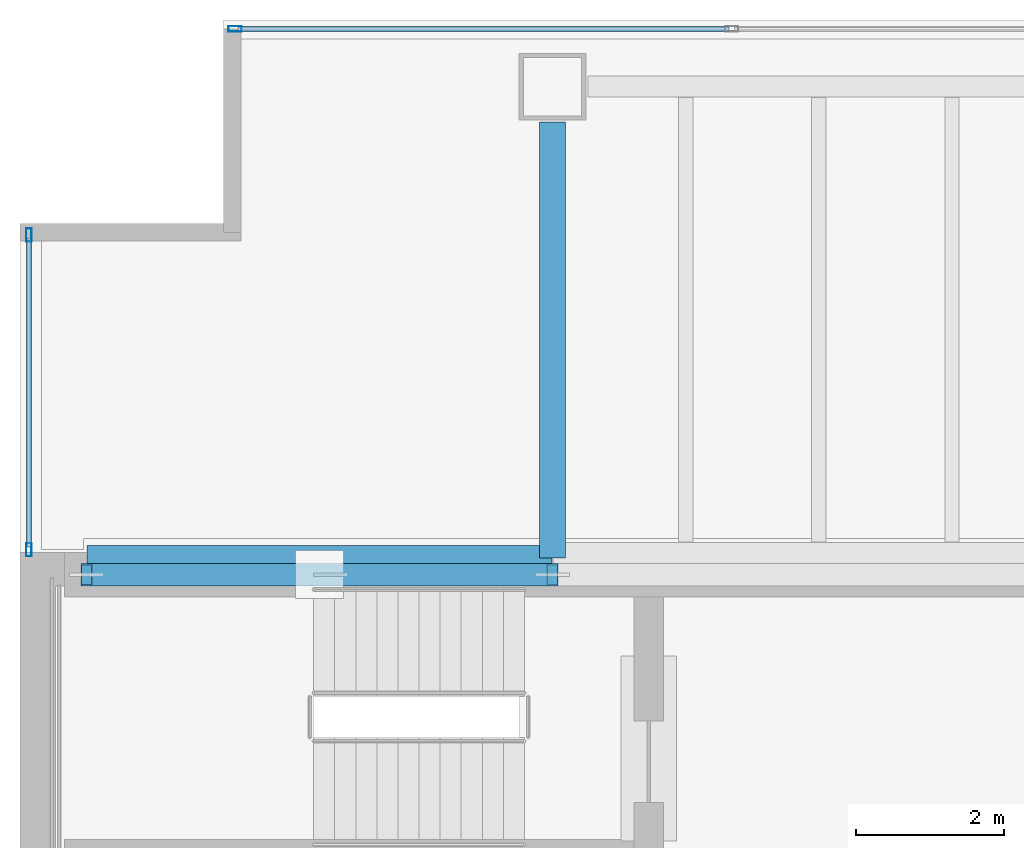
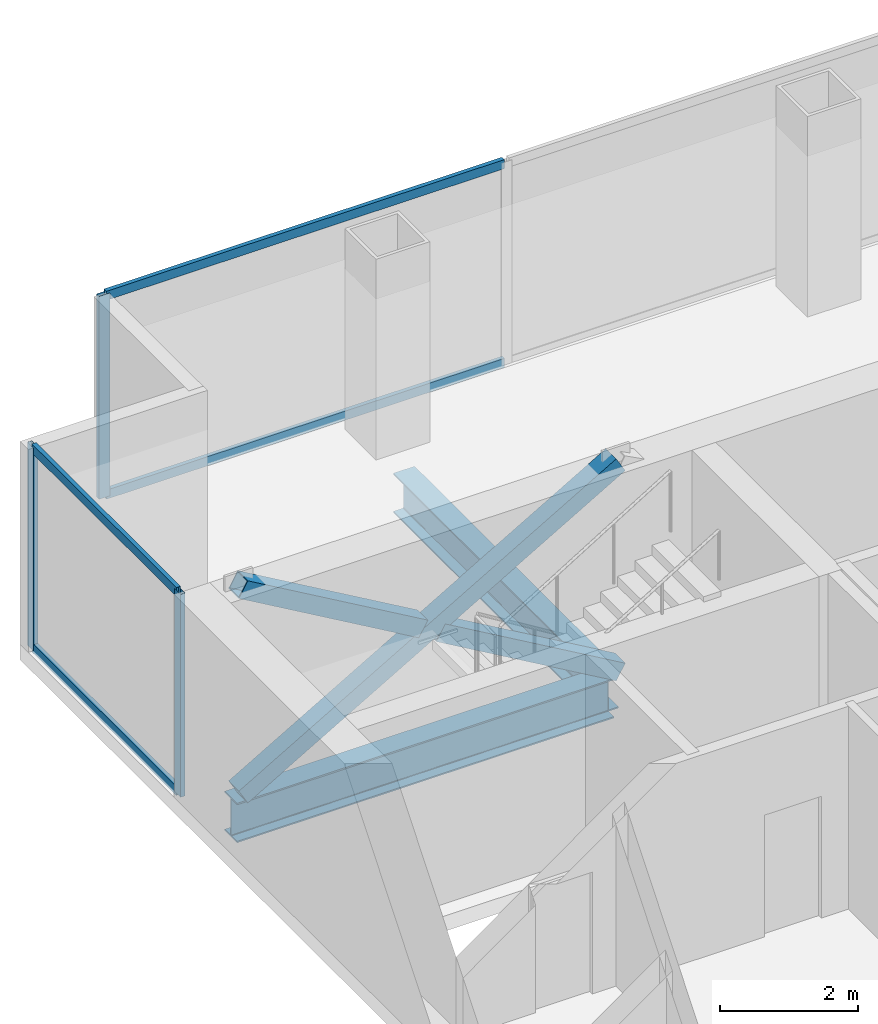
# One storey, part 16 of 23: 10 members, 2 beams, 2 elements without a shape of their own.
"""IFC4 building model written with IfcOpenShell, lengths in metres."""

from ifc_helpers import new_model, si_unit, direction, frame, origin, origin_2d, place, context, subcontext, project, spatial, hollow_rectangle, i_section, extrude, material, material_profile, profile_set, type_object, element, aggregate, save


model = new_model("IFC4")

# Units and contexts
model_context = context("Model", 3, precision=1e-05, world=origin(), true_north=direction((0.0, 1.0)))
body_context = subcontext(model_context, "Body", "Model", "MODEL_VIEW")
ifc_project = project(units=[si_unit("LENGTHUNIT", "METRE"), si_unit("AREAUNIT", "SQUARE_METRE"), si_unit("VOLUMEUNIT", "CUBIC_METRE"), si_unit("PLANEANGLEUNIT", "RADIAN"), si_unit("MASSUNIT", "GRAM", prefix="KILO")], contexts=[model_context])

# Site, building, storey
site_placement = place(None, origin())
site = spatial("IfcSite", under=ifc_project, at=site_placement, CompositionType="ELEMENT")
building_placement = place(site_placement, origin())
building = spatial("IfcBuilding", under=site, at=building_placement, Name="Cobrela Telecom Tower", CompositionType="ELEMENT")
storey_placement = place(building_placement, frame((0.0, 0.0, 117.60009765625)))
storey = spatial("IfcBuildingStorey", under=building, at=storey_placement, Name="L29", CompositionType="ELEMENT", Elevation=117.60009765625)

# Beams
ifc_material_1 = material(Name="Steel ASTM A992 Grade 50", Category="steel")
ifc_material_profile_1 = material_profile(ifc_material_1, i_section(OverallWidth=0.35595703125, OverallDepth=0.696044921875, WebThickness=0.015380859375, FlangeThickness=0.024658203125, FilletRadius=0.01806640625, at=origin_2d()), Name="W27X146")
ifc_profile_set_1 = profile_set([ifc_material_profile_1], Name="Steel ASTM A992 Grade 50")
beam_type = type_object("IfcBeamType", Name="BM-GIRD-05", PredefinedType="USERDEFINED", material=ifc_profile_set_1)
beam_1_placement = place(storey_placement, frame((0.905029296875, 35.919921875, -0.6181640625), z_axis=(1.0, 0.0, 0.0), x_axis=(0.0, 1.0, 0.0)))
element("IfcBeam", 1, at=beam_1_placement, inside=storey, type_object=beam_type, Name="L29 Primary Girder X25", ObjectType="GIRDER", PredefinedType="USERDEFINED", context=body_context, shape_type="SweptSolid", body=[
    extrude(i_section(OverallWidth=0.35595703125, OverallDepth=0.696044921875, WebThickness=0.015380859375, FlangeThickness=0.024658203125, FilletRadius=0.01806640625, at=origin_2d()), origin(), (0.0, 0.0, 1.0), 6.2900390625),
])
beam_2_placement = place(storey_placement, frame((7.199951171875, 35.925048828125, -0.6181640625), z_axis=(0.0, 1.0, 0.0), x_axis=(-1.0, 0.0, 0.0)))
element("IfcBeam", 2, at=beam_2_placement, inside=storey, type_object=beam_type, Name="L29 Primary Girder Y32", ObjectType="GIRDER", PredefinedType="USERDEFINED", context=body_context, shape_type="SweptSolid", body=[
    extrude(i_section(OverallWidth=0.35595703125, OverallDepth=0.696044921875, WebThickness=0.015380859375, FlangeThickness=0.024658203125, FilletRadius=0.01806640625, at=origin_2d()), origin(), (0.0, 0.0, 1.0), 5.89501953125),
])

# Curtain wall, members
ifc_material_2 = material(Name="Anodized Bronze Aluminium 6063-T6", Category="aluminium")
curtain_wall_type = type_object("IfcCurtainWallType", Name="CW-SYS-TEL", PredefinedType="USERDEFINED", material=ifc_material_2)
curtain_wall_1_placement = place(storey_placement, origin())
curtain_wall_1 = element("IfcCurtainWall", 3, at=curtain_wall_1_placement, inside=storey, type_object=curtain_wall_type, Name="L29 Unitised Bronze Curtain Wall 04", ObjectType="UNITISED CURTAIN WALL", PredefinedType="USERDEFINED")
ifc_material_profile_2 = material_profile(ifc_material_2, hollow_rectangle(XDim=0.074951171875, YDim=0.179931640625, WallThickness=0.00390625, at=origin_2d()), Name="ALU 75x180x4")
ifc_profile_set_2 = profile_set([ifc_material_profile_2], Name="Anodized Bronze Aluminium 6063-T6")
member_type_1 = type_object("IfcMemberType", Name="CW-SYS-TEL-MUL", PredefinedType="MULLION", material=ifc_profile_set_2)
member_1_placement = place(storey_placement, frame((0.1201171875, 36.03759765625, 0.0), z_axis=(0.0, 0.0, 1.0), x_axis=(-1.0, 0.0, 0.0)))
member_1 = element("IfcMember", 4, at=member_1_placement, type_object=member_type_1, Name="CW-TEL mullion 1", PredefinedType="MULLION", context=body_context, shape_type="SweptSolid", body=[
    extrude(hollow_rectangle(XDim=0.074951171875, YDim=0.179931640625, WallThickness=0.00390625, at=origin_2d()), origin(), (0.0, 0.0, 1.0), 3.579833984375),
])
member_2_placement = place(storey_placement, frame((0.1201171875, 40.29248046875, 0.0), z_axis=(0.0, 0.0, 1.0), x_axis=(-1.0, 0.0, 0.0)))
member_2 = element("IfcMember", 5, at=member_2_placement, type_object=member_type_1, Name="CW-TEL mullion 2", PredefinedType="MULLION", context=body_context, shape_type="SweptSolid", body=[
    extrude(hollow_rectangle(XDim=0.074951171875, YDim=0.179931640625, WallThickness=0.00390625, at=origin_2d()), origin(), (0.0, 0.0, 1.0), 3.579833984375),
])

# Curtain wall, member
curtain_wall_2_placement = place(storey_placement, origin())
curtain_wall_2 = element("IfcCurtainWall", 6, at=curtain_wall_2_placement, inside=storey, type_object=curtain_wall_type, Name="L29 Unitised Bronze Curtain Wall 07", ObjectType="UNITISED CURTAIN WALL", PredefinedType="USERDEFINED")
member_3_placement = place(storey_placement, frame((2.907470703125, 43.080078125, 0.0), z_axis=(0.0, 0.0, 1.0), x_axis=(0.0, 1.0, 0.0)))
member_3 = element("IfcMember", 7, at=member_3_placement, type_object=member_type_1, Name="CW-TEL mullion 1", PredefinedType="MULLION", context=body_context, shape_type="SweptSolid", body=[
    extrude(hollow_rectangle(XDim=0.074951171875, YDim=0.179931640625, WallThickness=0.00390625, at=origin_2d()), origin(), (0.0, 0.0, 1.0), 3.579833984375),
])

# Member
ifc_material_profile_3 = material_profile(ifc_material_2, hollow_rectangle(XDim=0.070068359375, YDim=0.159912109375, WallThickness=0.00390625, at=origin_2d()), Name="ALU 70x160x4")
ifc_profile_set_3 = profile_set([ifc_material_profile_3], Name="Anodized Bronze Aluminium 6063-T6")
member_type_2 = type_object("IfcMemberType", Name="CW-SYS-TEL-TRN", PredefinedType="USERDEFINED", material=ifc_profile_set_3)
member_4_placement = place(storey_placement, frame((0.1201171875, 36.074951171875, 0.034912109375), z_axis=(0.0, 1.0, 0.0), x_axis=(-1.0, 0.0, 0.0)))
member_4 = element("IfcMember", 8, at=member_4_placement, type_object=member_type_2, Name="CW-TEL transom 1.1", ObjectType="TRANSOM", PredefinedType="USERDEFINED", context=body_context, shape_type="SweptSolid", body=[
    extrude(hollow_rectangle(XDim=0.070068359375, YDim=0.159912109375, WallThickness=0.00390625, at=origin_2d()), origin(), (0.0, 0.0, 1.0), 4.179931640625),
])

member_5_placement = place(storey_placement, frame((0.1201171875, 36.074951171875, 3.544921875), z_axis=(0.0, 1.0, 0.0), x_axis=(-1.0, 0.0, 0.0)))
member_5 = element("IfcMember", 9, at=member_5_placement, type_object=member_type_2, Name="CW-TEL transom 1.2", ObjectType="TRANSOM", PredefinedType="USERDEFINED", context=body_context, shape_type="SweptSolid", body=[
    extrude(hollow_rectangle(XDim=0.070068359375, YDim=0.159912109375, WallThickness=0.00390625, at=origin_2d()), origin(), (0.0, 0.0, 1.0), 4.179931640625),
])

aggregate(curtain_wall_1, [member_1, member_2, member_4, member_5])

member_6_placement = place(storey_placement, frame((2.945068359375, 43.080078125, 0.034912109375), z_axis=(1.0, 0.0, 0.0), x_axis=(0.0, 1.0, 0.0)))
member_6 = element("IfcMember", 10, at=member_6_placement, type_object=member_type_2, Name="CW-TEL transom 1.1", ObjectType="TRANSOM", PredefinedType="USERDEFINED", context=body_context, shape_type="SweptSolid", body=[
    extrude(hollow_rectangle(XDim=0.070068359375, YDim=0.159912109375, WallThickness=0.00390625, at=origin_2d()), origin(), (0.0, 0.0, 1.0), 6.640869140625),
])

member_7_placement = place(storey_placement, frame((2.945068359375, 43.080078125, 3.544921875), z_axis=(1.0, 0.0, 0.0), x_axis=(0.0, 1.0, 0.0)))
member_7 = element("IfcMember", 11, at=member_7_placement, type_object=member_type_2, Name="CW-TEL transom 1.2", ObjectType="TRANSOM", PredefinedType="USERDEFINED", context=body_context, shape_type="SweptSolid", body=[
    extrude(hollow_rectangle(XDim=0.070068359375, YDim=0.159912109375, WallThickness=0.00390625, at=origin_2d()), origin(), (0.0, 0.0, 1.0), 6.640869140625),
])

aggregate(curtain_wall_2, [member_3, member_6, member_7])

# Members
ifc_material_3 = material(Name="Steel ASTM A572 Grade 50", Category="steel")
ifc_material_profile_4 = material_profile(ifc_material_3, hollow_rectangle(XDim=0.300048828125, YDim=0.300048828125, WallThickness=0.01611328125, at=origin_2d()), Name="HSS 300x300x16")
ifc_profile_set_4 = profile_set([ifc_material_profile_4], Name="Steel ASTM A572 Grade 50")
member_type_3 = type_object("IfcMemberType", Name="MBR-EXO-03", PredefinedType="BRACE", material=ifc_profile_set_4)
member_8_placement = place(storey_placement, frame((0.89990234375, 35.699951171875, -0.0400390625), z_axis=(0.864680500519, 0.0, 0.502322239228), x_axis=(0.0, 1.0, 0.0)))
element("IfcMember", 12, at=member_8_placement, inside=storey, type_object=member_type_3, Name="L29 Core Flange Steel X-Brace Continuous A", PredefinedType="BRACE", context=body_context, shape_type="SweptSolid", body=[
    extrude(hollow_rectangle(XDim=0.300048828125, YDim=0.300048828125, WallThickness=0.01611328125, at=origin_2d()), origin(), (0.0, 0.0, 1.0), 7.285888671875),
])
member_9_placement = place(storey_placement, frame((7.199951171875, 35.699951171875, -0.0400390625), z_axis=(-0.864666885148, 0.0, 0.502345675535), x_axis=(0.0, -1.0, 0.0)))
element("IfcMember", 13, at=member_9_placement, inside=storey, type_object=member_type_3, Name="L29 Core Flange Steel X-Brace Split B1", PredefinedType="BRACE", context=body_context, shape_type="SweptSolid", body=[
    extrude(hollow_rectangle(XDim=0.300048828125, YDim=0.300048828125, WallThickness=0.01611328125, at=origin_2d()), origin(), (0.0, 0.0, 1.0), 3.474853515625),
])
member_10_placement = place(storey_placement, frame((3.90478515625, 35.699951171875, 1.874267578125), z_axis=(-0.864684613256, 0.0, 0.502315159634), x_axis=(0.0, -1.0, 0.0)))
element("IfcMember", 14, at=member_10_placement, inside=storey, type_object=member_type_3, Name="L29 Core Flange Steel X-Brace Split B2", PredefinedType="BRACE", context=body_context, shape_type="SweptSolid", body=[
    extrude(hollow_rectangle(XDim=0.300048828125, YDim=0.300048828125, WallThickness=0.01611328125, at=origin_2d()), origin(), (0.0, 0.0, 1.0), 3.47509765625),
])

save(model, "model.ifc")
